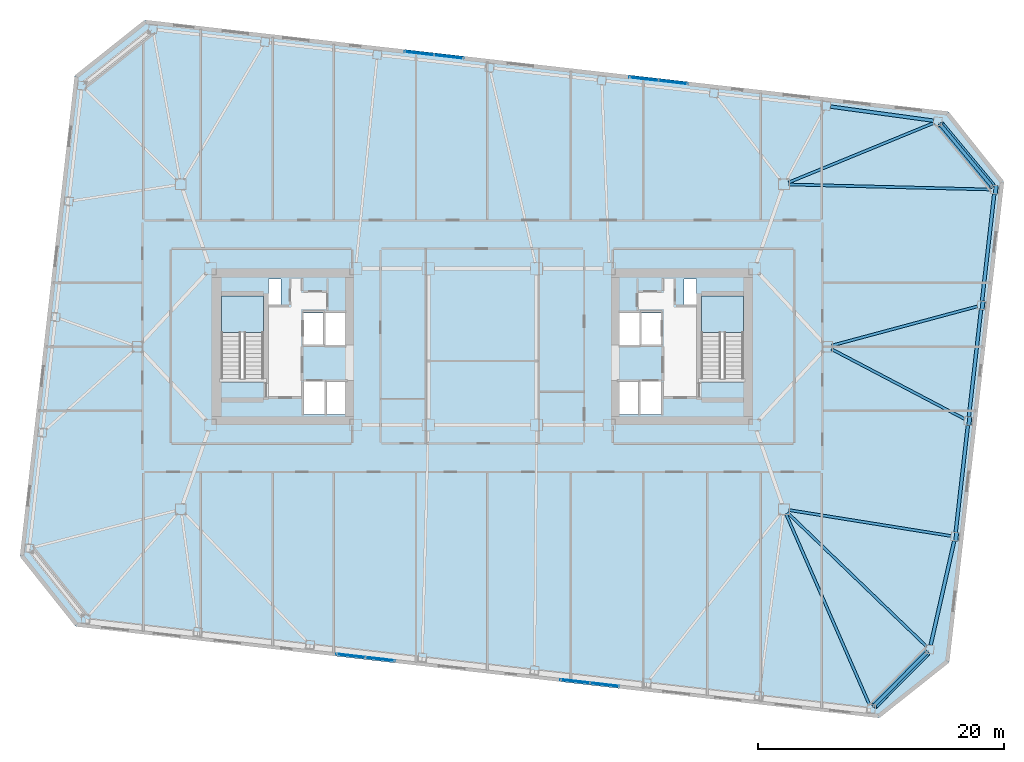
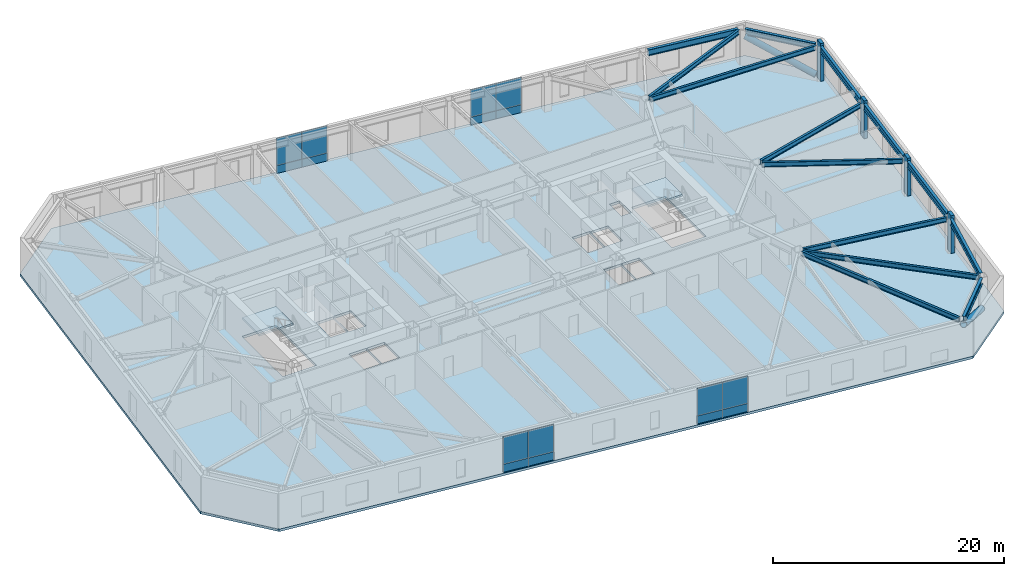
# One storey, part 10 of 21: 16 plates, 14 beams, 6 members, 3 slabs, 6 elements without a shape of their own.
"""IFC4 building model written with IfcOpenShell, lengths in metres."""

from ifc_helpers import new_model, si_unit, direction, frame, origin, origin_2d, place, context, subcontext, project, spatial, polyline, rectangle, hollow_circle, i_section, outline, extrude, material, layer, layer_set, material_profile, profile_set, type_object, element, aggregate, save


model = new_model("IFC4")

# Units and contexts
model_context = context("Model", 3, precision=1e-05, world=origin(), true_north=direction((0.0, 1.0)))
body_context = subcontext(model_context, "Body", "Model", "MODEL_VIEW")
ifc_project = project(units=[si_unit("LENGTHUNIT", "METRE"), si_unit("AREAUNIT", "SQUARE_METRE"), si_unit("VOLUMEUNIT", "CUBIC_METRE"), si_unit("PLANEANGLEUNIT", "RADIAN"), si_unit("MASSUNIT", "GRAM", prefix="KILO")], contexts=[model_context])

# Site, building, storey
site_placement = place(None, origin())
site = spatial("IfcSite", under=ifc_project, at=site_placement, CompositionType="ELEMENT")
building_placement = place(site_placement, origin())
building = spatial("IfcBuilding", under=site, at=building_placement, Name="Tavrogorsk Clinical Tower", CompositionType="ELEMENT")
storey_placement = place(building_placement, frame((0.0, 0.0, 133.39990234375)))
storey = spatial("IfcBuildingStorey", under=building, at=storey_placement, Name="L30", CompositionType="ELEMENT", Elevation=133.39990234375)

# Members
ifc_material_1 = material(Name="Structural steel S440", Category="steel")
ifc_material_profile_1 = material_profile(ifc_material_1, hollow_circle(Radius=0.304931640625, WallThickness=0.02490234375, at=origin_2d()), Name="CHS-610x25")
ifc_profile_set_1 = profile_set([ifc_material_profile_1], Name="Structural steel S440")
member_type_1 = type_object("IfcMemberType", Name="ExoBrace_CHS610", PredefinedType="BRACE", material=ifc_profile_set_1)
member_1_placement = place(storey_placement, frame((36.1025390625, -24.82763671875, 0.4345703125), z_axis=(-0.651430241483, -0.659222469252, 0.375585378463), x_axis=(0.711298174517, -0.702890394677, 0.0)))
element("IfcMember", 1, at=member_1_placement, inside=storey, type_object=member_type_1, Name="L30 Corner Exoskeleton Brace S8-E1", PredefinedType="BRACE", context=body_context, shape_type="SweptSolid", body=[
    extrude(hollow_circle(Radius=0.304931640625, WallThickness=0.02490234375, at=origin_2d()), origin(), (0.0, 0.0, 1.0), 6.57958984375),
])
member_2_placement = place(storey_placement, frame((41.40771484375, 13.03076171875, 0.427001953125), z_axis=(-0.598616328588, 0.718269947263, 0.354607915882), x_axis=(-0.768190751014, -0.640221032189, 0.0)))
element("IfcMember", 2, at=member_2_placement, inside=storey, type_object=member_type_1, Name="L30 Corner Exoskeleton Brace E5-N1", PredefinedType="BRACE", context=body_context, shape_type="SweptSolid", body=[
    extrude(hollow_circle(Radius=0.304931640625, WallThickness=0.02490234375, at=origin_2d()), origin(), (0.0, 0.0, 1.0), 7.0107421875),
])

# Beams
ifc_material_2 = material(Name="Structural steel S355", Category="steel")
ifc_material_profile_2 = material_profile(ifc_material_2, i_section(OverallWidth=0.219970703125, OverallDepth=0.5, WebThickness=0.012939453125, FlangeThickness=0.02001953125, at=origin_2d()), Name="B-500x220x13x20")
ifc_profile_set_2 = profile_set([ifc_material_profile_2], Name="Structural steel S355")
beam_type_1 = type_object("IfcBeamType", Name="FloorBeam_B500", PredefinedType="BEAM", material=ifc_profile_set_2)
beam_1_placement = place(storey_placement, frame((24.664306640625, -13.57568359375, 3.489990234375), z_axis=(0.400586354613, -0.916259009504, 0.0), x_axis=(0.916259009504, 0.400586354613, 0.0)))
element("IfcBeam", 3, at=beam_1_placement, inside=storey, type_object=beam_type_1, Name="L30 Radial Floor Beam S8", PredefinedType="BEAM", context=body_context, shape_type="SweptSolid", body=[
    extrude(i_section(OverallWidth=0.219970703125, OverallDepth=0.5, WebThickness=0.012939453125, FlangeThickness=0.02001953125, at=origin_2d()), origin(), (0.0, 0.0, 1.0), 16.91357421875),
])
beam_2_placement = place(storey_placement, frame((24.87939453125, 13.35546875, 3.489990234375), z_axis=(0.925250223374, 0.379357383143, 0.0), x_axis=(-0.379357383143, 0.925250223374, 0.0)))
element("IfcBeam", 4, at=beam_2_placement, inside=storey, type_object=beam_type_1, Name="L30 Radial Floor Beam N1", PredefinedType="BEAM", context=body_context, shape_type="SweptSolid", body=[
    extrude(i_section(OverallWidth=0.219970703125, OverallDepth=0.5, WebThickness=0.012939453125, FlangeThickness=0.02001953125, at=origin_2d()), origin(), (0.0, 0.0, 1.0), 12.738037109375),
])
beam_3_placement = place(storey_placement, frame((24.79541015625, -13.484375, 3.489990234375), z_axis=(0.720494740362, -0.693460401977, 0.0), x_axis=(0.693460401977, 0.720494740362, 0.0)))
element("IfcBeam", 5, at=beam_3_placement, inside=storey, type_object=beam_type_1, Name="L30 Radial Floor Beam E1", PredefinedType="BEAM", context=body_context, shape_type="SweptSolid", body=[
    extrude(i_section(OverallWidth=0.219970703125, OverallDepth=0.5, WebThickness=0.012939453125, FlangeThickness=0.02001953125, at=origin_2d()), origin(), (0.0, 0.0, 1.0), 15.659423828125),
])
beam_4_placement = place(storey_placement, frame((24.90478515625, -13.2646484375, 3.489990234375), z_axis=(0.987456527754, -0.157891120067, 0.0), x_axis=(0.157891120067, 0.987456527754, 0.0)))
element("IfcBeam", 6, at=beam_4_placement, inside=storey, type_object=beam_type_1, Name="L30 Radial Floor Beam E2", PredefinedType="BEAM", context=body_context, shape_type="SweptSolid", body=[
    extrude(i_section(OverallWidth=0.219970703125, OverallDepth=0.5, WebThickness=0.012939453125, FlangeThickness=0.02001953125, at=origin_2d()), origin(), (0.0, 0.0, 1.0), 13.31787109375),
])
beam_5_placement = place(storey_placement, frame((28.363037109375, -0.1904296875, 3.489990234375), z_axis=(0.885467298335, -0.464701693111, 0.0), x_axis=(0.464701693111, 0.885467298335, 0.0)))
element("IfcBeam", 7, at=beam_5_placement, inside=storey, type_object=beam_type_1, Name="L30 Radial Floor Beam E3", PredefinedType="BEAM", context=body_context, shape_type="SweptSolid", body=[
    extrude(i_section(OverallWidth=0.219970703125, OverallDepth=0.5, WebThickness=0.012939453125, FlangeThickness=0.02001953125, at=origin_2d()), origin(), (0.0, 0.0, 1.0), 12.197021484375),
])
beam_6_placement = place(storey_placement, frame((28.39599609375, 0.1064453125, 3.489990234375), z_axis=(0.965705720144, 0.259639099677, 0.0), x_axis=(-0.259639099677, 0.965705720144, 0.0)))
element("IfcBeam", 8, at=beam_6_placement, inside=storey, type_object=beam_type_1, Name="L30 Radial Floor Beam E4", PredefinedType="BEAM", context=body_context, shape_type="SweptSolid", body=[
    extrude(i_section(OverallWidth=0.219970703125, OverallDepth=0.5, WebThickness=0.012939453125, FlangeThickness=0.02001953125, at=origin_2d()), origin(), (0.0, 0.0, 1.0), 12.228759765625),
])
beam_7_placement = place(storey_placement, frame((24.909912109375, 13.189697265625, 3.489990234375), z_axis=(0.999690121031, -0.024893009314, 0.0), x_axis=(0.024893009314, 0.999690121031, 0.0)))
element("IfcBeam", 9, at=beam_7_placement, inside=storey, type_object=beam_type_1, Name="L30 Radial Floor Beam E5", PredefinedType="BEAM", context=body_context, shape_type="SweptSolid", body=[
    extrude(i_section(OverallWidth=0.219970703125, OverallDepth=0.5, WebThickness=0.012939453125, FlangeThickness=0.02001953125, at=origin_2d()), origin(), (0.0, 0.0, 1.0), 16.359130859375),
])

# Members
ifc_material_3 = material(Name="Precast concrete B45 with limestone cladding", Category="masonry")
ifc_material_profile_3 = material_profile(ifc_material_3, rectangle(XDim=0.320068359375, YDim=0.719970703125, at=origin_2d()), Name="LIMESTONE-FIN-320x720")
ifc_profile_set_3 = profile_set([ifc_material_profile_3], Name="Precast concrete B45 with limestone cladding")
member_type_2 = type_object("IfcMemberType", Name="LimestonePleatFin_320x720", PredefinedType="USERDEFINED", material=ifc_profile_set_3)
for number, where, z_axis, x_axis, name in (
    (10, (38.48876953125, -15.432861328125, 0.0), (0.0, 0.0, 1.0), (0.993571855677, -0.113203213768, 0.0), "L30 E Pleated Stone Fin 1"),
    (11, (39.5595703125, -6.03369140625, 0.0), (0.0, 0.0, 1.0), (0.993571855677, -0.113203213768, 0.0), "L30 E Pleated Stone Fin 2"),
    (12, (40.63037109375, 3.365234375, 0.0), (0.0, 0.0, 1.0), (0.993571855677, -0.113203213768, 0.0), "L30 E Pleated Stone Fin 3"),
    (13, (41.701416015625, 12.7646484375, 0.0), (0.0, 0.0, 1.0), (0.993571855677, -0.113203213768, 0.0), "L30 E Pleated Stone Fin 4"),
):
    element("IfcMember", number, at=place(storey_placement, frame(where, z_axis=z_axis, x_axis=x_axis)), inside=storey, type_object=member_type_2, Name=name, ObjectType="FIN", PredefinedType="USERDEFINED", context=body_context, shape_type="SweptSolid", body=[
        extrude(rectangle(XDim=0.320068359375, YDim=0.719970703125, at=origin_2d()), origin(), (0.0, 0.0, 1.0), 4.0),
    ])

# Beams
ifc_material_4 = material(Name="Structural steel S390", Category="steel")
ifc_material_profile_4 = material_profile(ifc_material_4, i_section(OverallWidth=0.280029296875, OverallDepth=0.64990234375, WebThickness=0.01611328125, FlangeThickness=0.02490234375, at=origin_2d()), Name="B-650x280x16x25")
ifc_profile_set_4 = profile_set([ifc_material_profile_4], Name="Structural steel S390")
beam_type_2 = type_object("IfcBeamType", Name="SpandrelBeam_B650", PredefinedType="SPANDREL", material=ifc_profile_set_4)
beam_8_placement = place(storey_placement, frame((31.834716796875, -29.146240234375, 3.4150390625), z_axis=(0.702934929184, 0.711254163667, 0.0), x_axis=(-0.711254163667, 0.702934929184, 0.0)))
element("IfcBeam", 14, at=beam_8_placement, inside=storey, type_object=beam_type_2, Name="L30 Perimeter Spandrel S8-E1", PredefinedType="SPANDREL", context=body_context, shape_type="SweptSolid", body=[
    extrude(i_section(OverallWidth=0.280029296875, OverallDepth=0.64990234375, WebThickness=0.01611328125, FlangeThickness=0.02490234375, at=origin_2d()), origin(), (0.0, 0.0, 1.0), 6.04541015625),
])
beam_9_placement = place(storey_placement, frame((36.414794921875, -24.242431640625, 3.4150390625), z_axis=(0.220602599501, 0.975363774749, 0.0), x_axis=(-0.975363774749, 0.220602599501, 0.0)))
element("IfcBeam", 15, at=beam_9_placement, inside=storey, type_object=beam_type_2, Name="L30 Perimeter Spandrel E1-E2", PredefinedType="SPANDREL", context=body_context, shape_type="SweptSolid", body=[
    extrude(i_section(OverallWidth=0.280029296875, OverallDepth=0.64990234375, WebThickness=0.01611328125, FlangeThickness=0.02490234375, at=origin_2d()), origin(), (0.0, 0.0, 1.0), 8.68310546875),
])
for number, where, z_axis, x_axis, name in (
    (16, (38.44970703125, -15.068115234375, 3.4150390625), (0.113192226434, 0.993573107464, 0.0), (-0.993573107464, 0.113192226434, 0.0), "L30 Perimeter Spandrel E2-E3"),
    (17, (39.520751953125, -5.6689453125, 3.4150390625), (0.113192226434, 0.993573107464, 0.0), (-0.993573107464, 0.113192226434, 0.0), "L30 Perimeter Spandrel E3-E4"),
):
    element("IfcBeam", number, at=place(storey_placement, frame(where, z_axis=z_axis, x_axis=x_axis)), inside=storey, type_object=beam_type_2, Name=name, PredefinedType="SPANDREL", context=body_context, shape_type="SweptSolid", body=[
        extrude(i_section(OverallWidth=0.280029296875, OverallDepth=0.64990234375, WebThickness=0.01611328125, FlangeThickness=0.02490234375, at=origin_2d()), origin(), (0.0, 0.0, 1.0), 8.743896484375),
    ])
beam_10_placement = place(storey_placement, frame((40.591552734375, 3.72998046875, 3.4150390625), z_axis=(0.113189086379, 0.993573465188, 0.0), x_axis=(-0.993573465188, 0.113189086379, 0.0)))
element("IfcBeam", 18, at=beam_10_placement, inside=storey, type_object=beam_type_2, Name="L30 Perimeter Spandrel E4-E5", PredefinedType="SPANDREL", context=body_context, shape_type="SweptSolid", body=[
    extrude(i_section(OverallWidth=0.280029296875, OverallDepth=0.64990234375, WebThickness=0.01611328125, FlangeThickness=0.02490234375, at=origin_2d()), origin(), (0.0, 0.0, 1.0), 8.744140625),
])
beam_11_placement = place(storey_placement, frame((41.392578125, 13.048583984375, 3.4150390625), z_axis=(-0.640191778751, 0.768215130299, 0.0), x_axis=(-0.768215130299, -0.640191778751, 0.0)))
element("IfcBeam", 19, at=beam_11_placement, inside=storey, type_object=beam_type_2, Name="L30 Perimeter Spandrel E5-N1", PredefinedType="SPANDREL", context=body_context, shape_type="SweptSolid", body=[
    extrude(i_section(OverallWidth=0.280029296875, OverallDepth=0.64990234375, WebThickness=0.01611328125, FlangeThickness=0.02490234375, at=origin_2d()), origin(), (0.0, 0.0, 1.0), 6.508544921875),
])
beam_12_placement = place(storey_placement, frame((36.641845703125, 18.3720703125, 3.4150390625), z_axis=(-0.990722121657, 0.135903192232, 0.0), x_axis=(-0.135903192232, -0.990722121657, 0.0)))
element("IfcBeam", 20, at=beam_12_placement, inside=storey, type_object=beam_type_2, Name="L30 Perimeter Spandrel N1-N2", PredefinedType="SPANDREL", context=body_context, shape_type="SweptSolid", body=[
    extrude(i_section(OverallWidth=0.280029296875, OverallDepth=0.64990234375, WebThickness=0.01611328125, FlangeThickness=0.02490234375, at=origin_2d()), origin(), (0.0, 0.0, 1.0), 8.439697265625),
])

# Curtain wall, plates
ifc_material_5 = material(Name="Anodised aluminium and triple IGU glazing", Category="aluminium")
ifc_layer_1 = layer(ifc_material_5, 0.179931640625)
ifc_layer_set_1 = layer_set([ifc_layer_1], Name="Anodised aluminium and triple IGU glazing")
curtain_wall_type_1 = type_object("IfcCurtainWallType", Name="CW3_SouthSlot", PredefinedType="NOTDEFINED", material=ifc_layer_set_1)
curtain_wall_1_placement = place(storey_placement, origin())
curtain_wall_1 = element("IfcCurtainWall", 21, at=curtain_wall_1_placement, inside=storey, type_object=curtain_wall_type_1, Name="L30 Curtain Wall CW-L30-S-SLOT-1", PredefinedType="NOTDEFINED")
ifc_material_6 = material(Name="Honed Podolsk limestone spandrel panel", Category="masonry")
ifc_layer_2 = layer(ifc_material_6, 0.080078125)
ifc_layer_set_2 = layer_set([ifc_layer_2], Name="Honed Podolsk limestone spandrel panel")
plate_type_1 = type_object("IfcPlateType", Name="CwSpandrelStonePanel_80", PredefinedType="CURTAIN_PANEL", material=ifc_layer_set_2)
plate_1_placement = place(storey_placement, frame((-10.70654296875, -25.095947265625, 0.002197265625), z_axis=(0.0, 0.0, 1.0), x_axis=(0.993571855603, -0.11320321441, 0.0)))
plate_1 = element("IfcPlate", 22, at=plate_1_placement, type_object=plate_type_1, Name="CW-L30-S-SLOT-1 Stone Spandrel Panel 1", PredefinedType="CURTAIN_PANEL", context=body_context, shape_type="SweptSolid", body=[
    extrude(rectangle(XDim=2.39208984375, YDim=0.080078125, at=origin_2d()), origin(), (0.0, 0.0, 1.0), 0.8359375),
])
plate_2_placement = place(storey_placement, frame((-8.30615234375, -25.36962890625, 0.002197265625), z_axis=(0.0, 0.0, 1.0), x_axis=(0.993571855603, -0.11320321441, 0.0)))
plate_2 = element("IfcPlate", 23, at=plate_2_placement, type_object=plate_type_1, Name="CW-L30-S-SLOT-1 Stone Spandrel Panel 2", PredefinedType="CURTAIN_PANEL", context=body_context, shape_type="SweptSolid", body=[
    extrude(rectangle(XDim=2.39208984375, YDim=0.080078125, at=origin_2d()), origin(), (0.0, 0.0, 1.0), 0.8359375),
])

curtain_wall_2_placement = place(storey_placement, origin())
curtain_wall_2 = element("IfcCurtainWall", 24, at=curtain_wall_2_placement, inside=storey, type_object=curtain_wall_type_1, Name="L30 Curtain Wall CW-L30-S-SLOT-2", PredefinedType="NOTDEFINED")
plate_3_placement = place(storey_placement, frame((7.52978515625, -27.173828125, 0.002197265625), z_axis=(0.0, 0.0, 1.0), x_axis=(0.993571858269, -0.113203191016, 0.0)))
plate_3 = element("IfcPlate", 25, at=plate_3_placement, type_object=plate_type_1, Name="CW-L30-S-SLOT-2 Stone Spandrel Panel 1", PredefinedType="CURTAIN_PANEL", context=body_context, shape_type="SweptSolid", body=[
    extrude(rectangle(XDim=2.39208984375, YDim=0.080078125, at=origin_2d()), origin(), (0.0, 0.0, 1.0), 0.8359375),
])
plate_4_placement = place(storey_placement, frame((9.93017578125, -27.447265625, 0.002197265625), z_axis=(0.0, 0.0, 1.0), x_axis=(0.993571858269, -0.113203191016, 0.0)))
plate_4 = element("IfcPlate", 26, at=plate_4_placement, type_object=plate_type_1, Name="CW-L30-S-SLOT-2 Stone Spandrel Panel 2", PredefinedType="CURTAIN_PANEL", context=body_context, shape_type="SweptSolid", body=[
    extrude(rectangle(XDim=2.39208984375, YDim=0.080078125, at=origin_2d()), origin(), (0.0, 0.0, 1.0), 0.8359375),
])

ifc_material_7 = material(Name="Anodised aluminium and triple IGU glazing", Category="aluminium")
ifc_layer_3 = layer(ifc_material_7, 0.179931640625)
ifc_layer_set_3 = layer_set([ifc_layer_3], Name="Anodised aluminium and triple IGU glazing")
curtain_wall_type_2 = type_object("IfcCurtainWallType", Name="CW2_NorthSlot", PredefinedType="NOTDEFINED", material=ifc_layer_set_3)
curtain_wall_3_placement = place(storey_placement, origin())
curtain_wall_3 = element("IfcCurtainWall", 27, at=curtain_wall_3_placement, inside=storey, type_object=curtain_wall_type_2, Name="L30 Curtain Wall CW-L30-N-SLOT-1", PredefinedType="NOTDEFINED")
plate_5_placement = place(storey_placement, frame((-2.729736328125, 23.57373046875, 0.002197265625), z_axis=(0.0, 0.0, 1.0), x_axis=(-0.993571858269, 0.113203191016, 0.0)))
plate_5 = element("IfcPlate", 28, at=plate_5_placement, type_object=plate_type_1, Name="CW-L30-N-SLOT-1 Stone Spandrel Panel 1", PredefinedType="CURTAIN_PANEL", context=body_context, shape_type="SweptSolid", body=[
    extrude(rectangle(XDim=2.39208984375, YDim=0.080078125, at=origin_2d()), origin(), (0.0, 0.0, 1.0), 0.8359375),
])
plate_6_placement = place(storey_placement, frame((-5.130126953125, 23.847412109375, 0.002197265625), z_axis=(0.0, 0.0, 1.0), x_axis=(-0.993571858269, 0.113203191016, 0.0)))
plate_6 = element("IfcPlate", 29, at=plate_6_placement, type_object=plate_type_1, Name="CW-L30-N-SLOT-1 Stone Spandrel Panel 2", PredefinedType="CURTAIN_PANEL", context=body_context, shape_type="SweptSolid", body=[
    extrude(rectangle(XDim=2.39208984375, YDim=0.080078125, at=origin_2d()), origin(), (0.0, 0.0, 1.0), 0.8359375),
])

curtain_wall_4_placement = place(storey_placement, origin())
curtain_wall_4 = element("IfcCurtainWall", 30, at=curtain_wall_4_placement, inside=storey, type_object=curtain_wall_type_2, Name="L30 Curtain Wall CW-L30-N-SLOT-2", PredefinedType="NOTDEFINED")
plate_7_placement = place(storey_placement, frame((15.506591796875, 21.49609375, 0.002197265625), z_axis=(0.0, 0.0, 1.0), x_axis=(-0.993571855603, 0.11320321441, 0.0)))
plate_7 = element("IfcPlate", 31, at=plate_7_placement, type_object=plate_type_1, Name="CW-L30-N-SLOT-2 Stone Spandrel Panel 1", PredefinedType="CURTAIN_PANEL", context=body_context, shape_type="SweptSolid", body=[
    extrude(rectangle(XDim=2.39208984375, YDim=0.080078125, at=origin_2d()), origin(), (0.0, 0.0, 1.0), 0.8359375),
])
plate_8_placement = place(storey_placement, frame((13.106201171875, 21.76953125, 0.002197265625), z_axis=(0.0, 0.0, 1.0), x_axis=(-0.993571855603, 0.11320321441, 0.0)))
plate_8 = element("IfcPlate", 32, at=plate_8_placement, type_object=plate_type_1, Name="CW-L30-N-SLOT-2 Stone Spandrel Panel 2", PredefinedType="CURTAIN_PANEL", context=body_context, shape_type="SweptSolid", body=[
    extrude(rectangle(XDim=2.39208984375, YDim=0.080078125, at=origin_2d()), origin(), (0.0, 0.0, 1.0), 0.8359375),
])

# Plate
ifc_material_8 = material(Name="Triple low-E argon insulated glass", Category="glass")
ifc_layer_4 = layer(ifc_material_8, 0.048095703125)
ifc_layer_set_4 = layer_set([ifc_layer_4], Name="Triple low-E argon insulated glass")
plate_type_2 = type_object("IfcPlateType", Name="CwVisionGlassPanel_48", PredefinedType="CURTAIN_PANEL", material=ifc_layer_set_4)
plate_9_placement = place(storey_placement, frame((-10.70654296875, -25.095947265625, 0.862060546875), z_axis=(0.0, 0.0, 1.0), x_axis=(0.993571855603, -0.11320321441, 0.0)))
plate_9 = element("IfcPlate", 33, at=plate_9_placement, type_object=plate_type_2, Name="CW-L30-S-SLOT-1 Glazing Panel 1", PredefinedType="CURTAIN_PANEL", context=body_context, shape_type="SweptSolid", body=[
    extrude(rectangle(XDim=2.39208984375, YDim=0.048095703125, at=origin_2d()), origin(), (0.0, 0.0, 1.0), 2.8759765625),
])

plate_10_placement = place(storey_placement, frame((-8.30615234375, -25.36962890625, 0.862060546875), z_axis=(0.0, 0.0, 1.0), x_axis=(0.993571855603, -0.11320321441, 0.0)))
plate_10 = element("IfcPlate", 34, at=plate_10_placement, type_object=plate_type_2, Name="CW-L30-S-SLOT-1 Glazing Panel 2", PredefinedType="CURTAIN_PANEL", context=body_context, shape_type="SweptSolid", body=[
    extrude(rectangle(XDim=2.39208984375, YDim=0.048095703125, at=origin_2d()), origin(), (0.0, 0.0, 1.0), 2.8759765625),
])

aggregate(curtain_wall_1, [plate_1, plate_9, plate_2, plate_10])

plate_11_placement = place(storey_placement, frame((7.52978515625, -27.173828125, 0.862060546875), z_axis=(0.0, 0.0, 1.0), x_axis=(0.993571858269, -0.113203191016, 0.0)))
plate_11 = element("IfcPlate", 35, at=plate_11_placement, type_object=plate_type_2, Name="CW-L30-S-SLOT-2 Glazing Panel 1", PredefinedType="CURTAIN_PANEL", context=body_context, shape_type="SweptSolid", body=[
    extrude(rectangle(XDim=2.39208984375, YDim=0.048095703125, at=origin_2d()), origin(), (0.0, 0.0, 1.0), 2.8759765625),
])

plate_12_placement = place(storey_placement, frame((9.93017578125, -27.447265625, 0.862060546875), z_axis=(0.0, 0.0, 1.0), x_axis=(0.993571858269, -0.113203191016, 0.0)))
plate_12 = element("IfcPlate", 36, at=plate_12_placement, type_object=plate_type_2, Name="CW-L30-S-SLOT-2 Glazing Panel 2", PredefinedType="CURTAIN_PANEL", context=body_context, shape_type="SweptSolid", body=[
    extrude(rectangle(XDim=2.39208984375, YDim=0.048095703125, at=origin_2d()), origin(), (0.0, 0.0, 1.0), 2.8759765625),
])

aggregate(curtain_wall_2, [plate_3, plate_11, plate_4, plate_12])

plate_13_placement = place(storey_placement, frame((-2.729736328125, 23.57373046875, 0.862060546875), z_axis=(0.0, 0.0, 1.0), x_axis=(-0.993571858269, 0.113203191016, 0.0)))
plate_13 = element("IfcPlate", 37, at=plate_13_placement, type_object=plate_type_2, Name="CW-L30-N-SLOT-1 Glazing Panel 1", PredefinedType="CURTAIN_PANEL", context=body_context, shape_type="SweptSolid", body=[
    extrude(rectangle(XDim=2.39208984375, YDim=0.048095703125, at=origin_2d()), origin(), (0.0, 0.0, 1.0), 2.8759765625),
])

plate_14_placement = place(storey_placement, frame((-5.130126953125, 23.847412109375, 0.862060546875), z_axis=(0.0, 0.0, 1.0), x_axis=(-0.993571858269, 0.113203191016, 0.0)))
plate_14 = element("IfcPlate", 38, at=plate_14_placement, type_object=plate_type_2, Name="CW-L30-N-SLOT-1 Glazing Panel 2", PredefinedType="CURTAIN_PANEL", context=body_context, shape_type="SweptSolid", body=[
    extrude(rectangle(XDim=2.39208984375, YDim=0.048095703125, at=origin_2d()), origin(), (0.0, 0.0, 1.0), 2.8759765625),
])

aggregate(curtain_wall_3, [plate_5, plate_13, plate_6, plate_14])

plate_15_placement = place(storey_placement, frame((15.506591796875, 21.49609375, 0.862060546875), z_axis=(0.0, 0.0, 1.0), x_axis=(-0.993571855603, 0.11320321441, 0.0)))
plate_15 = element("IfcPlate", 39, at=plate_15_placement, type_object=plate_type_2, Name="CW-L30-N-SLOT-2 Glazing Panel 1", PredefinedType="CURTAIN_PANEL", context=body_context, shape_type="SweptSolid", body=[
    extrude(rectangle(XDim=2.39208984375, YDim=0.048095703125, at=origin_2d()), origin(), (0.0, 0.0, 1.0), 2.8759765625),
])

plate_16_placement = place(storey_placement, frame((13.106201171875, 21.76953125, 0.862060546875), z_axis=(0.0, 0.0, 1.0), x_axis=(-0.993571855603, 0.11320321441, 0.0)))
plate_16 = element("IfcPlate", 40, at=plate_16_placement, type_object=plate_type_2, Name="CW-L30-N-SLOT-2 Glazing Panel 2", PredefinedType="CURTAIN_PANEL", context=body_context, shape_type="SweptSolid", body=[
    extrude(rectangle(XDim=2.39208984375, YDim=0.048095703125, at=origin_2d()), origin(), (0.0, 0.0, 1.0), 2.8759765625),
])

aggregate(curtain_wall_4, [plate_7, plate_15, plate_8, plate_16])

# Stair, slab
ifc_material_9 = material(Name="Concrete B60", Category="concrete")
stair_type = type_object("IfcStairType", Name="CoreStairAssembly", PredefinedType="HALF_TURN_STAIR", material=ifc_material_9)
stair_1_placement = place(storey_placement, origin())
stair_1 = element("IfcStair", 41, at=stair_1_placement, inside=storey, type_object=stair_type, Name="L30 ST-W", PredefinedType="HALF_TURN_STAIR")
ifc_material_10 = material(Name="Concrete B60", Category="concrete")
ifc_layer_5 = layer(ifc_material_10, 0.199951171875)
ifc_layer_set_5 = layer_set([ifc_layer_5], Name="Concrete B60")
slab_type_1 = type_object("IfcSlabType", Name="StairLanding_200", PredefinedType="LANDING", material=ifc_layer_set_5)
slab_1_placement = place(storey_placement, frame((0.0, 0.0, 1.800048828125)))
slab_1 = element("IfcSlab", 42, at=slab_1_placement, type_object=slab_type_1, Name="ST-W landing 1", PredefinedType="LANDING", context=body_context, shape_type="SweptSolid", body=[
    extrude(outline(polyline([(-17.800048828125, 1.1650390625), (-17.800048828125, 4.125), (-21.199951171875, 4.125), (-21.199951171875, 1.1650390625), (-17.800048828125, 1.1650390625)])), origin(), (0.0, 0.0, 1.0), 0.199951171875),
])
aggregate(stair_1, [slab_1])

stair_2_placement = place(storey_placement, origin())
stair_2 = element("IfcStair", 43, at=stair_2_placement, inside=storey, type_object=stair_type, Name="L30 ST-E", PredefinedType="HALF_TURN_STAIR")
slab_2_placement = place(storey_placement, frame((0.0, 0.0, 1.800048828125)))
slab_2 = element("IfcSlab", 44, at=slab_2_placement, type_object=slab_type_1, Name="ST-E landing 1", PredefinedType="LANDING", context=body_context, shape_type="SweptSolid", body=[
    extrude(outline(polyline([(21.199951171875, 1.1650390625), (21.199951171875, 4.125), (17.800048828125, 4.125), (17.800048828125, 1.1650390625), (21.199951171875, 1.1650390625)])), origin(), (0.0, 0.0, 1.0), 0.199951171875),
])
aggregate(stair_2, [slab_2])

# Slab
ifc_material_11 = material(Name="Concrete B60", Category="concrete")
ifc_layer_6 = layer(ifc_material_11, 0.260009765625)
ifc_layer_set_6 = layer_set([ifc_layer_6], Name="Concrete B60")
slab_type_2 = type_object("IfcSlabType", Name="WardSlab_260", PredefinedType="FLOOR", material=ifc_layer_set_6)
slab_3_placement = place(storey_placement, frame((0.0, 0.0, -0.260009765625)))
element("IfcSlab", 45, at=slab_3_placement, inside=storey, type_object=slab_type_2, Name="L30 Structural Slab", PredefinedType="FLOOR", context=body_context, shape_type="SweptSolid", body=[
    extrude(outline(polyline([(-32.99658203125, -22.7275390625), (32.181640625, -30.153564453125), (37.93701171875, -25.57568359375), (42.37451171875, 13.372314453125), (37.796630859375, 19.12744140625), (-27.381591796875, 26.5537109375), (-33.136962890625, 21.9755859375), (-37.574462890625, -16.972412109375), (-32.99658203125, -22.7275390625)]), holes=[polyline([(-17.800048828125, -2.8798828125), (-17.800048828125, 4.125), (-21.199951171875, 4.125), (-21.199951171875, -2.8798828125), (-17.800048828125, -2.8798828125)]), polyline([(21.199951171875, -2.8798828125), (21.199951171875, 4.125), (17.800048828125, 4.125), (17.800048828125, -2.8798828125), (21.199951171875, -2.8798828125)]), polyline([(-14.6201171875, 0.169921875), (-12.860107421875, 0.169921875), (-12.860107421875, 2.72998046875), (-14.6201171875, 2.72998046875), (-14.6201171875, 0.169921875)]), polyline([(-14.530029296875, -5.47998046875), (-12.77001953125, -5.47998046875), (-12.77001953125, -2.820068359375), (-14.530029296875, -2.820068359375), (-14.530029296875, -5.47998046875)]), polyline([(-12.72998046875, -5.47998046875), (-10.969970703125, -5.47998046875), (-10.969970703125, -2.820068359375), (-12.72998046875, -2.820068359375), (-12.72998046875, -5.47998046875)]), polyline([(-12.840087890625, 0.1201171875), (-11.080078125, 0.1201171875), (-11.080078125, 2.780029296875), (-12.840087890625, 2.780029296875), (-12.840087890625, 0.1201171875)]), polyline([(12.860107421875, 0.169921875), (14.6201171875, 0.169921875), (14.6201171875, 2.72998046875), (12.860107421875, 2.72998046875), (12.860107421875, 0.169921875)]), polyline([(12.77001953125, -5.47998046875), (14.530029296875, -5.47998046875), (14.530029296875, -2.820068359375), (12.77001953125, -2.820068359375), (12.77001953125, -5.47998046875)]), polyline([(10.969970703125, -5.47998046875), (12.72998046875, -5.47998046875), (12.72998046875, -2.820068359375), (10.969970703125, -2.820068359375), (10.969970703125, -5.47998046875)]), polyline([(11.080078125, 0.1201171875), (12.840087890625, 0.1201171875), (12.840087890625, 2.780029296875), (11.080078125, 2.780029296875), (11.080078125, 0.1201171875)]), polyline([(-17.3798828125, 3.449951171875), (-16.3798828125, 3.449951171875), (-16.3798828125, 5.5), (-17.3798828125, 5.5), (-17.3798828125, 3.449951171875)]), polyline([(16.3798828125, 3.449951171875), (17.3798828125, 3.449951171875), (17.3798828125, 5.5), (16.3798828125, 5.5), (16.3798828125, 3.449951171875)])]), origin(), (0.0, 0.0, 1.0), 0.260009765625),
])

save(model, "model.ifc")
